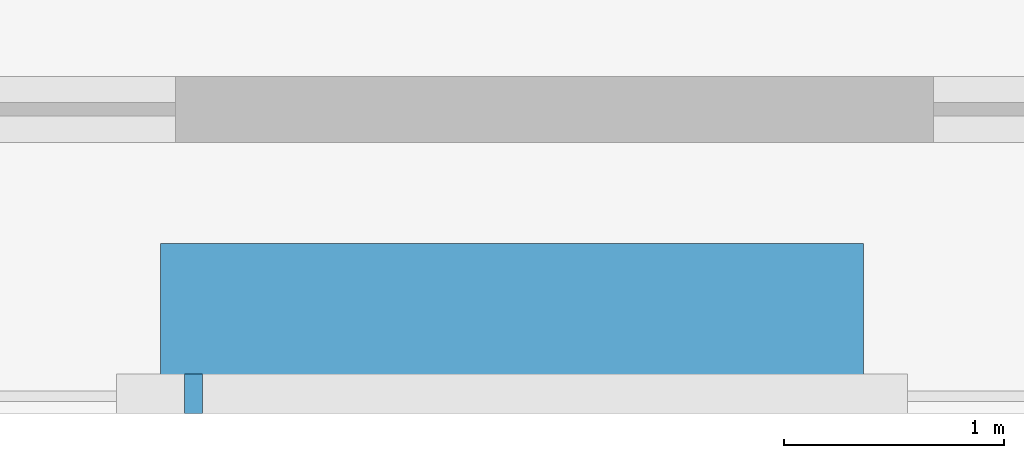
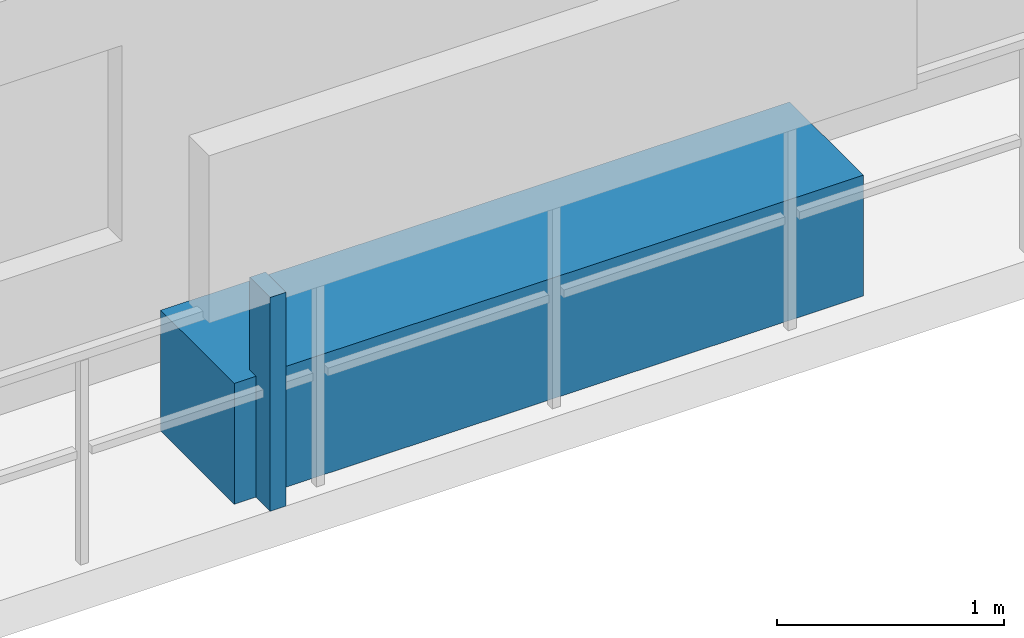
# One storey, part 31 of 36: 2 discrete accessories.
"""IFC4 building model written with IfcOpenShell, lengths in metres."""

import ifcopenshell
import ifcopenshell.guid

model = None  # the IFC model being written
_history = None  # IfcOwnerHistory: only IFC2X3 demands one
_inside = {}  # id of a spatial element -> (the spatial element, [elements in it])
_under = {}  # id of a project, library or spatial element -> (it, [spatial elements below it])
_declared = {}  # id of a project -> (the project, [libraries it declares])
_typed = {}  # id of a type object -> (the type object, [elements of that type])
_made_of = {}  # id of a material, layer set ... -> (it, [elements and type objects made of it])


def new_model(schema):
    """Start an empty IFC model of exactly this schema.

    Asked for "IFC4X3", IfcOpenShell would pick the latest addendum, in which some entities
    have other attributes; the version numbers below select the first issue.
    IFC2X3 requires an IfcOwnerHistory on every rooted entity: one is made here for all.
    """
    global model, _history
    if schema == "IFC4X3":
        model = ifcopenshell.file(schema_version=(4, 3, 0, 0))
    else:
        model = ifcopenshell.file(schema=schema)
    _inside.clear()
    _under.clear()
    _declared.clear()
    _typed.clear()
    _made_of.clear()
    _history = None
    if model.schema == "IFC2X3":
        org = make("IfcOrganization", Name="unknown")
        user = make(
            "IfcPersonAndOrganization",
            ThePerson=make("IfcPerson", FamilyName="unknown"),
            TheOrganization=org,
        )
        app = make(
            "IfcApplication",
            ApplicationDeveloper=org,
            Version="unknown",
            ApplicationFullName="unknown",
            ApplicationIdentifier="unknown",
        )
        _history = make(
            "IfcOwnerHistory",
            OwningUser=user,
            OwningApplication=app,
            ChangeAction="ADDED",
            CreationDate=0,
        )
    return model


def make(cls, **values):
    """One entity of the class cls with the attributes given. An attribute that is None is left unset."""
    return model.create_entity(
        cls, **{name: value for name, value in values.items() if value is not None}
    )


def rooted(cls, **values):
    """An entity with a GlobalId (a new one), such as an element, a storey or a relation."""
    return make(cls, GlobalId=ifcopenshell.guid.new(), OwnerHistory=_history, **values)


def si_unit(unit_type, name, prefix=None):
    """IfcSIUnit, for example si_unit("LENGTHUNIT", "METRE", prefix="MILLI")."""
    return make("IfcSIUnit", UnitType=unit_type, Prefix=prefix, Name=name)


def assignment(units):
    """IfcUnitAssignment: the units of a project."""
    return None if units is None else make("IfcUnitAssignment", Units=units)


def point(xyz):
    """IfcCartesianPoint."""
    return None if xyz is None else make("IfcCartesianPoint", Coordinates=xyz)


def direction(xyz):
    """IfcDirection."""
    return None if xyz is None else make("IfcDirection", DirectionRatios=xyz)


def frame(location, z_axis=None, x_axis=None):
    """IfcAxis2Placement3D, a coordinate frame: its origin and axes. An axis left out is left unset."""
    return make(
        "IfcAxis2Placement3D",
        Location=point(location),
        Axis=direction(z_axis),
        RefDirection=direction(x_axis),
    )


def frame_2d(location, x_axis=None):
    """IfcAxis2Placement2D, a coordinate frame in the plane: its origin and x axis."""
    return make(
        "IfcAxis2Placement2D", Location=point(location), RefDirection=direction(x_axis)
    )


def origin():
    """The frame at (0, 0, 0) with its axes left unset."""
    return frame((0.0, 0.0, 0.0))


def origin_2d():
    """The frame at (0, 0) in the plane with its x axis left unset."""
    return frame_2d((0.0, 0.0))


def place(relative_to, where):
    """IfcLocalPlacement: puts the frame where relative to a parent placement (None: the world)."""
    return make(
        "IfcLocalPlacement", PlacementRelTo=relative_to, RelativePlacement=where
    )


def context(
    kind, dimensions, precision=None, world=None, true_north=None, identifier=None
):
    """IfcGeometricRepresentationContext, for example the 3D "Model" context."""
    return make(
        "IfcGeometricRepresentationContext",
        ContextIdentifier=identifier,
        ContextType=kind,
        CoordinateSpaceDimension=dimensions,
        Precision=precision,
        WorldCoordinateSystem=world,
        TrueNorth=true_north,
    )


def subcontext(parent, identifier, kind, view, scale=None):
    """IfcGeometricRepresentationSubContext, for example "Body" below "Model"."""
    return make(
        "IfcGeometricRepresentationSubContext",
        ContextIdentifier=identifier,
        ContextType=kind,
        ParentContext=parent,
        TargetScale=scale,
        TargetView=view,
    )


def project(units=None, contexts=None):
    """IfcProject with its units and contexts."""
    return rooted(
        "IfcProject",
        Name="project",
        RepresentationContexts=contexts,
        UnitsInContext=assignment(units),
    )


def spatial(cls, under=None, at=None, **own):
    """A site, building, storey or space (cls), placed at a placement, below another one or the project."""
    s = rooted(cls, ObjectPlacement=at, **own)
    if under is not None:
        _under.setdefault(under.id(), (under, []))[1].append(s)
    return s


def profile(cls, at=None, kind="AREA", **sizes):
    """A parametric profile (cls). Its sizes go by their IFC names, for example OverallWidth=200.0."""
    return make(cls, ProfileType=kind, Position=at, **sizes)


def rectangle(**sizes):
    """IfcRectangleProfileDef."""
    return profile("IfcRectangleProfileDef", **sizes)


def extrude(swept, where, along, depth):
    """IfcExtrudedAreaSolid: the profile swept, set in the frame where, extruded along a direction by depth."""
    return make(
        "IfcExtrudedAreaSolid",
        SweptArea=swept,
        Position=where,
        ExtrudedDirection=direction(along),
        Depth=depth,
    )


def shape(context_of_items, identifier, shape_type, items):
    """IfcShapeRepresentation: the items that make up one representation, for example the "Body"."""
    return make(
        "IfcShapeRepresentation",
        ContextOfItems=context_of_items,
        RepresentationIdentifier=identifier,
        RepresentationType=shape_type,
        Items=items,
    )


def material(Name=None, Category=None):
    """IfcMaterial."""
    return make("IfcMaterial", Name=Name, Category=Category)


def made_of(thing, what):
    """Note that an element or type object is made of a material, layer set ...; save() writes the relation."""
    if what is not None:
        _made_of.setdefault(what.id(), (what, []))[1].append(thing)
    return thing


def type_object(cls, material=None, **own):
    """A type object (cls), such as IfcWallType, which elements share."""
    return made_of(rooted(cls, **own), material)


def element(
    cls,
    number,
    at=None,
    inside=None,
    cuts=None,
    type_object=None,
    material=None,
    context=None,
    identifier="Body",
    shape_type=None,
    held_by="IfcProductDefinitionShape",
    body=None,
    shapes=None,
    **own,
):
    """One element of the class cls, such as IfcWall. Its Tag is "e" and its number.

    at: its placement. inside: the storey or other place that contains it. cuts: it is an
    opening in that element (IfcRelVoidsElement). A single representation is given by context,
    identifier, shape_type and body (its items); several are given by shapes. held_by: the class
    of the entity that holds the representations. save() writes the other relations.
    """
    e = rooted(cls, Tag="e%d" % number, ObjectPlacement=at, **own)
    if body is not None:
        shapes = [shape(context, identifier, shape_type, body)]
    if shapes is not None:
        e.Representation = make(held_by, Representations=shapes)
    if inside is not None:
        _inside.setdefault(inside.id(), (inside, []))[1].append(e)
    if cuts is not None:
        rooted(
            "IfcRelVoidsElement", RelatingBuildingElement=cuts, RelatedOpeningElement=e
        )
    if type_object is not None:
        _typed.setdefault(type_object.id(), (type_object, []))[1].append(e)
    return made_of(e, material)


def aggregate(whole, parts):
    """IfcRelAggregates: a whole, such as a stair, and the parts it consists of."""
    return rooted("IfcRelAggregates", RelatingObject=whole, RelatedObjects=parts)


def save(model, path):
    """Write the relations noted so far, then the file.

    IfcRelAggregates (storeys below a building ...), IfcRelContainedInSpatialStructure (elements
    in a storey), IfcRelDefinesByType, IfcRelAssociatesMaterial and IfcRelDeclares: one each for
    every whole, place, type object, material and project.
    """
    for whole, parts in _under.values():
        aggregate(whole, parts)
    for where, things in _inside.values():
        rooted(
            "IfcRelContainedInSpatialStructure",
            RelatedElements=things,
            RelatingStructure=where,
        )
    for kind, things in _typed.values():
        rooted("IfcRelDefinesByType", RelatedObjects=things, RelatingType=kind)
    for what, things in _made_of.values():
        rooted("IfcRelAssociatesMaterial", RelatedObjects=things, RelatingMaterial=what)
    for by, libraries in _declared.values():
        rooted("IfcRelDeclares", RelatingContext=by, RelatedDefinitions=libraries)
    model.write(path)


model = new_model("IFC4")

# Units and contexts
model_context = context("Model", 3, precision=1e-05, world=origin(), true_north=direction((0.0, 1.0)))
body_context = subcontext(model_context, "Body", "Model", "MODEL_VIEW")
ifc_project = project(units=[si_unit("LENGTHUNIT", "METRE"), si_unit("AREAUNIT", "SQUARE_METRE"), si_unit("VOLUMEUNIT", "CUBIC_METRE"), si_unit("PLANEANGLEUNIT", "RADIAN"), si_unit("MASSUNIT", "GRAM", prefix="KILO")], contexts=[model_context])

# Site, building, storey
site_placement = place(None, origin())
site = spatial("IfcSite", under=ifc_project, at=site_placement, CompositionType="ELEMENT")
building_placement = place(site_placement, origin())
building = spatial("IfcBuilding", under=site, at=building_placement, Name="Thornwick Lancets Civic Towers", CompositionType="ELEMENT")
storey_placement = place(building_placement, frame((0.0, 0.0, 170.699951171875)))
storey = spatial("IfcBuildingStorey", under=building, at=storey_placement, Name="L45", CompositionType="ELEMENT", Elevation=170.699951171875)

# Discrete accessories
ifc_material_1 = material(Name="Planted terracotta greenery planter", Category="masonry")
discrete_accessory_type_1 = type_object("IfcDiscreteAccessoryType", Name="ACC_PLANTER_BOX", PredefinedType="USERDEFINED", material=ifc_material_1)
discrete_accessory_1_placement = place(storey_placement, frame((25.5, 2.300048828125, 0.0), z_axis=(0.0, 0.0, 1.0), x_axis=(1.0, 0.0, 0.0)))
element("IfcDiscreteAccessory", 1, at=discrete_accessory_1_placement, inside=storey, type_object=discrete_accessory_type_1, Name="L45 Tower A Balcony Greenery Planter S", ObjectType="PLANTER", PredefinedType="USERDEFINED", context=body_context, shape_type="SweptSolid", body=[
    extrude(rectangle(XDim=3.199951171875, YDim=0.64990234375, at=origin_2d()), origin(), (0.0, 0.0, 1.0), 0.64990234375),
])
ifc_material_2 = material(Name="Stainless steel S355", Category="steel")
discrete_accessory_type_2 = type_object("IfcDiscreteAccessoryType", Name="ACC_SCREEN_BRACKET", PredefinedType="BRACKET", material=ifc_material_2)
discrete_accessory_2_placement = place(storey_placement, frame((24.050048828125, 1.93994140625, 0.0), z_axis=(0.0, 0.0, 1.0), x_axis=(1.0, 0.0, 0.0)))
element("IfcDiscreteAccessory", 2, at=discrete_accessory_2_placement, inside=storey, type_object=discrete_accessory_type_2, Name="L45 Tower A Balcony Screen Stanchion Bracket S-1", PredefinedType="BRACKET", context=body_context, shape_type="SweptSolid", body=[
    extrude(rectangle(XDim=0.080078125, YDim=0.179931640625, at=origin_2d()), origin(), (0.0, 0.0, 1.0), 1.14990234375),
])

save(model, "model.ifc")
